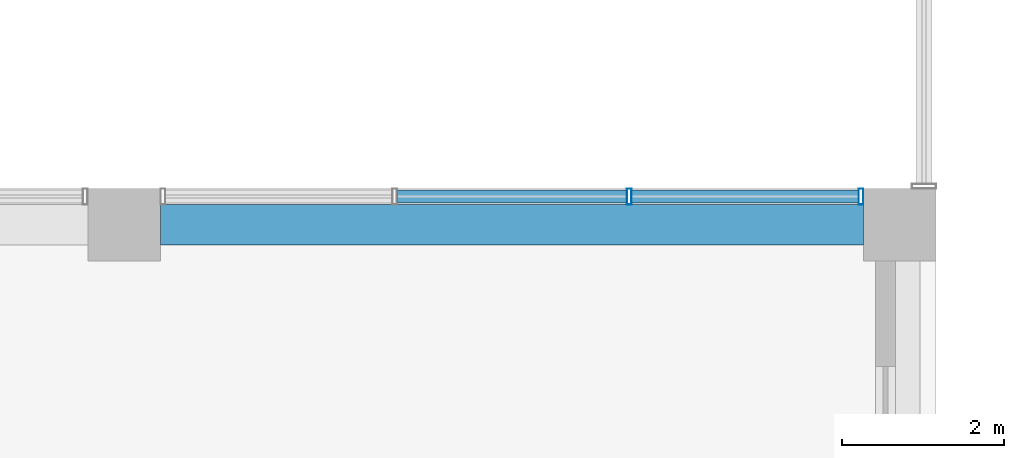
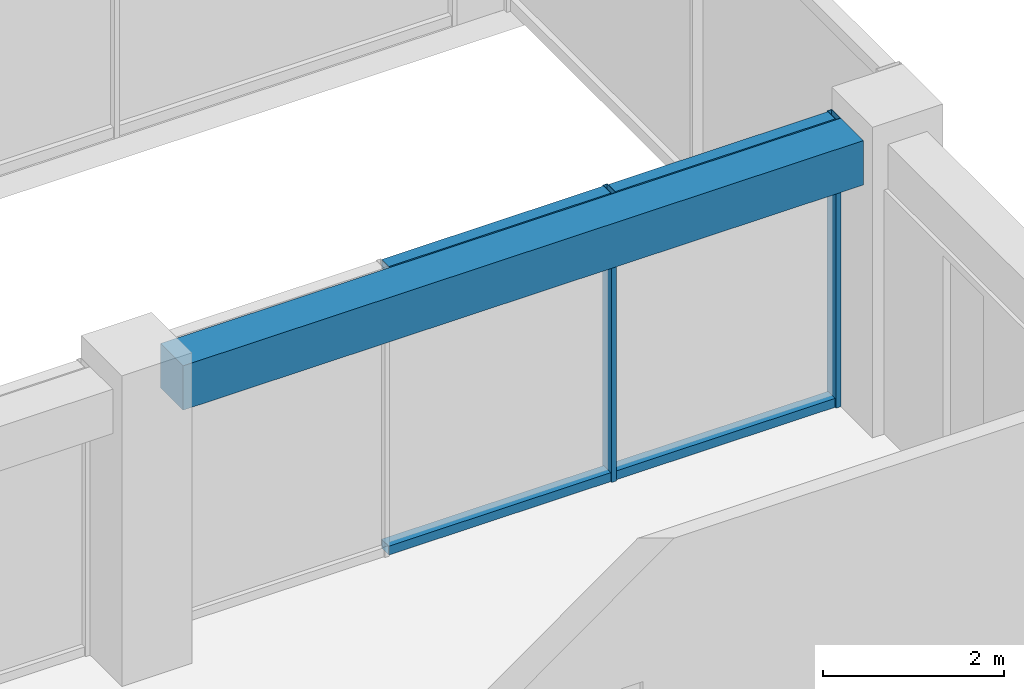
# One storey, part 17 of 37: 6 members, 1 beam, 1 element without a shape of its own.
"""IFC4 building model written with IfcOpenShell, lengths in metres."""

from ifc_helpers import new_model, si_unit, direction, frame, origin, origin_2d, place, context, subcontext, project, spatial, rectangle, hollow_rectangle, extrude, material, layer, layer_set, material_profile, profile_set, type_object, element, aggregate, save


model = new_model("IFC4")

# Units and contexts
model_context = context("Model", 3, precision=1e-05, world=origin(), true_north=direction((0.0, 1.0)))
body_context = subcontext(model_context, "Body", "Model", "MODEL_VIEW")
ifc_project = project(units=[si_unit("LENGTHUNIT", "METRE"), si_unit("AREAUNIT", "SQUARE_METRE"), si_unit("VOLUMEUNIT", "CUBIC_METRE"), si_unit("PLANEANGLEUNIT", "RADIAN"), si_unit("MASSUNIT", "GRAM", prefix="KILO")], contexts=[model_context])

# Site, building, storey
site_placement = place(None, origin())
site = spatial("IfcSite", under=ifc_project, at=site_placement, CompositionType="ELEMENT")
building_placement = place(site_placement, origin())
building = spatial("IfcBuilding", under=site, at=building_placement, Name="Nzadi Deep Aquarium and Research Tower", CompositionType="ELEMENT")
storey_placement = place(building_placement, frame((0.0, 0.0, 57.10009765625)))
storey = spatial("IfcBuildingStorey", under=building, at=storey_placement, Name="L11", CompositionType="ELEMENT", Elevation=57.10009765625)

# Curtain wall, members
ifc_material_1 = material(Name="Aluminium unitised frame", Category="aluminium")
ifc_layer = layer(ifc_material_1, 0.199951171875)
ifc_layer_set = layer_set([ifc_layer], Name="Aluminium unitised frame")
curtain_wall_type = type_object("IfcCurtainWallType", Name="Curtain wall Unitised 200", PredefinedType="NOTDEFINED", material=ifc_layer_set)
curtain_wall_placement = place(storey_placement, origin())
curtain_wall = element("IfcCurtainWall", 1, at=curtain_wall_placement, inside=storey, type_object=curtain_wall_type, Name="Unitised curtain wall blade A north L11", PredefinedType="NOTDEFINED")
ifc_material_2 = material(Name="Aluminium unitised frame", Category="aluminium")
ifc_material_profile_1 = material_profile(ifc_material_2, hollow_rectangle(XDim=0.199951171875, YDim=0.06005859375, WallThickness=0.0048828125, at=origin_2d()))
ifc_profile_set_1 = profile_set([ifc_material_profile_1], Name="Aluminium unitised frame")
member_type_1 = type_object("IfcMemberType", Name="Mullion 60x200 Unitised", PredefinedType="MULLION", material=ifc_profile_set_1)
member_1_placement = place(storey_placement, frame((44.64990234375, 18.75, 0.0), z_axis=(0.0, 0.0, 1.0), x_axis=(0.0, 1.0, 0.0)))
member_1 = element("IfcMember", 2, at=member_1_placement, type_object=member_type_1, Name="CW049 mullion 3", PredefinedType="MULLION", context=body_context, shape_type="SweptSolid", body=[
    extrude(hollow_rectangle(XDim=0.199951171875, YDim=0.06005859375, WallThickness=0.0048828125, at=origin_2d()), origin(), (0.0, 0.0, 1.0), 3.89990234375),
])
member_2_placement = place(storey_placement, frame((47.52001953125, 18.75, 0.0), z_axis=(0.0, 0.0, 1.0), x_axis=(0.0, 1.0, 0.0)))
member_2 = element("IfcMember", 3, at=member_2_placement, type_object=member_type_1, Name="CW049 mullion 4", PredefinedType="MULLION", context=body_context, shape_type="SweptSolid", body=[
    extrude(hollow_rectangle(XDim=0.199951171875, YDim=0.06005859375, WallThickness=0.0048828125, at=origin_2d()), origin(), (0.0, 0.0, 1.0), 3.89990234375),
])

# Beam
ifc_material_3 = material(Name="Concrete C35/45", Category="concrete")
ifc_material_profile_2 = material_profile(ifc_material_3, rectangle(XDim=0.5, YDim=0.60009765625, at=origin_2d()))
ifc_profile_set_2 = profile_set([ifc_material_profile_2], Name="Concrete C35/45")
beam_type = type_object("IfcBeamType", Name="RC 500x600", PredefinedType="BEAM", material=ifc_profile_set_2)
beam_placement = place(storey_placement, frame((38.85009765625, 18.39990234375, 3.599853515625), z_axis=(1.0, 0.0, 0.0), x_axis=(0.0, 1.0, 0.0)))
element("IfcBeam", 4, at=beam_placement, inside=storey, type_object=beam_type, Name="B-Z1-L11-L3-5", PredefinedType="BEAM", context=body_context, shape_type="SweptSolid", body=[
    extrude(rectangle(XDim=0.5, YDim=0.60009765625, at=origin_2d()), origin(), (0.0, 0.0, 1.0), 8.699951171875),
])

# Member
ifc_material_4 = material(Name="Aluminium unitised frame", Category="aluminium")
ifc_material_profile_3 = material_profile(ifc_material_4, hollow_rectangle(XDim=0.159912109375, YDim=0.1201171875, WallThickness=0.0048828125, at=origin_2d()))
ifc_profile_set_3 = profile_set([ifc_material_profile_3], Name="Aluminium unitised frame")
member_type_2 = type_object("IfcMemberType", Name="Transom 120x160 Unitised", PredefinedType="MULLION", material=ifc_profile_set_3)
member_3_placement = place(storey_placement, frame((41.780029296875, 18.75, 0.059814453125), z_axis=(1.0, 0.0, 0.0), x_axis=(0.0, 1.0, 0.0)))
member_3 = element("IfcMember", 5, at=member_3_placement, type_object=member_type_2, Name="CW049 transom 2.1", PredefinedType="MULLION", context=body_context, shape_type="SweptSolid", body=[
    extrude(hollow_rectangle(XDim=0.159912109375, YDim=0.1201171875, WallThickness=0.0048828125, at=origin_2d()), origin(), (0.0, 0.0, 1.0), 2.840087890625),
])

member_4_placement = place(storey_placement, frame((41.780029296875, 18.75, 3.83984375), z_axis=(1.0, 0.0, 0.0), x_axis=(0.0, 1.0, 0.0)))
member_4 = element("IfcMember", 6, at=member_4_placement, type_object=member_type_2, Name="CW049 transom 2.2", PredefinedType="MULLION", context=body_context, shape_type="SweptSolid", body=[
    extrude(hollow_rectangle(XDim=0.159912109375, YDim=0.1201171875, WallThickness=0.0048828125, at=origin_2d()), origin(), (0.0, 0.0, 1.0), 2.840087890625),
])

member_5_placement = place(storey_placement, frame((44.679931640625, 18.75, 0.059814453125), z_axis=(1.0, 0.0, 0.0), x_axis=(0.0, 1.0, 0.0)))
member_5 = element("IfcMember", 7, at=member_5_placement, type_object=member_type_2, Name="CW049 transom 3.1", PredefinedType="MULLION", context=body_context, shape_type="SweptSolid", body=[
    extrude(hollow_rectangle(XDim=0.159912109375, YDim=0.1201171875, WallThickness=0.0048828125, at=origin_2d()), origin(), (0.0, 0.0, 1.0), 2.81005859375),
])

member_6_placement = place(storey_placement, frame((44.679931640625, 18.75, 3.83984375), z_axis=(1.0, 0.0, 0.0), x_axis=(0.0, 1.0, 0.0)))
member_6 = element("IfcMember", 8, at=member_6_placement, type_object=member_type_2, Name="CW049 transom 3.2", PredefinedType="MULLION", context=body_context, shape_type="SweptSolid", body=[
    extrude(hollow_rectangle(XDim=0.159912109375, YDim=0.1201171875, WallThickness=0.0048828125, at=origin_2d()), origin(), (0.0, 0.0, 1.0), 2.81005859375),
])

aggregate(curtain_wall, [member_1, member_2, member_3, member_4, member_5, member_6])

save(model, "model.ifc")
